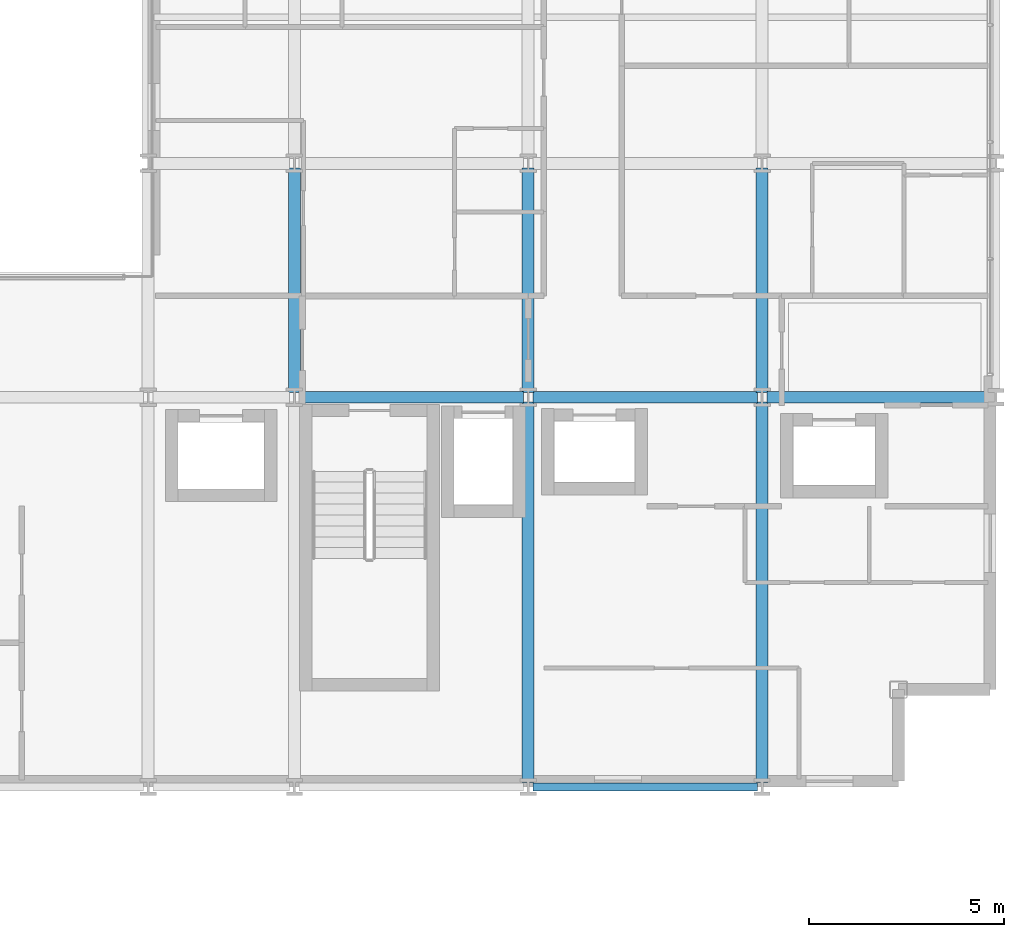
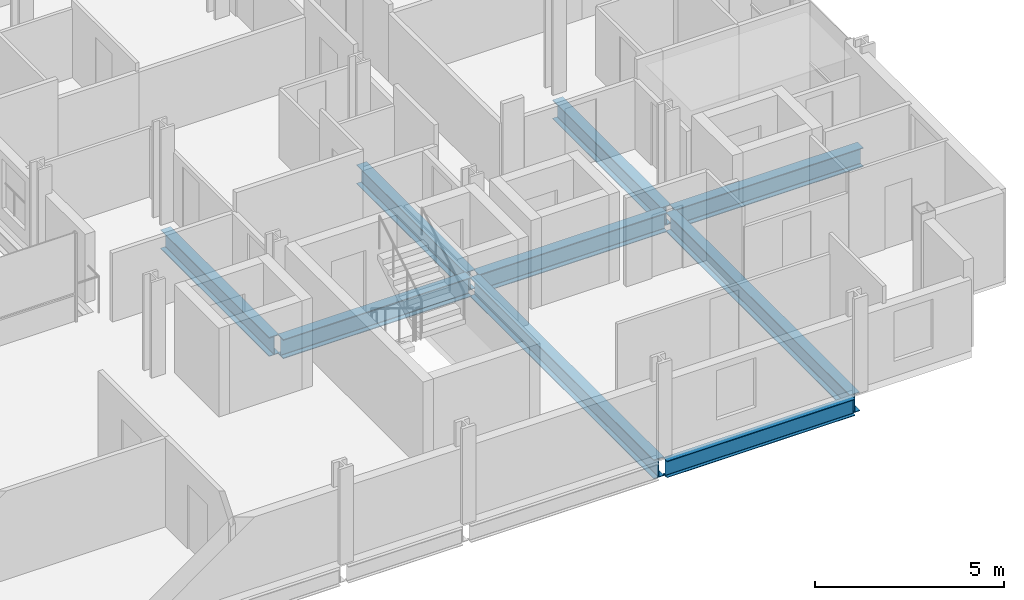
# One storey, part 14 of 41: 9 beams.
"""IFC4 building model written with IfcOpenShell, lengths in metres."""

from ifc_helpers import new_model, si_unit, direction, frame, origin, origin_2d, place, context, subcontext, project, spatial, i_section, extrude, material, material_profile, profile_set, type_object, element, save


model = new_model("IFC4")

# Units and contexts
model_context = context("Model", 3, precision=1e-05, world=origin(), true_north=direction((0.0, 1.0)))
body_context = subcontext(model_context, "Body", "Model", "MODEL_VIEW")
ifc_project = project(units=[si_unit("LENGTHUNIT", "METRE"), si_unit("AREAUNIT", "SQUARE_METRE"), si_unit("VOLUMEUNIT", "CUBIC_METRE"), si_unit("PLANEANGLEUNIT", "RADIAN"), si_unit("MASSUNIT", "GRAM", prefix="KILO")], contexts=[model_context])

# Site, building, storey
site_placement = place(None, origin())
site = spatial("IfcSite", under=ifc_project, at=site_placement, CompositionType="ELEMENT")
building_placement = place(site_placement, origin())
building = spatial("IfcBuilding", under=site, at=building_placement, Name="Brevholm Reach", CompositionType="ELEMENT")
storey_placement = place(building_placement, frame((0.0, 0.0, 49.699951171875)))
storey = spatial("IfcBuildingStorey", under=building, at=storey_placement, Name="L13", CompositionType="ELEMENT", Elevation=49.699951171875)

# Beams
ifc_material_1 = material(Name="Structural Steel S355J2", Category="steel")
ifc_material_profile_1 = material_profile(ifc_material_1, i_section(OverallWidth=0.210693359375, OverallDepth=0.53955078125, WebThickness=0.01171875, FlangeThickness=0.018798828125, FilletRadius=0.0126953125, at=origin_2d()), Name="UKB 533x210x109")
ifc_profile_set_1 = profile_set([ifc_material_profile_1], Name="Structural Steel S355J2")
beam_type_1 = type_object("IfcBeamType", Name="BM-SP539", PredefinedType="SPANDREL", material=ifc_profile_set_1)
beam_1_placement = place(storey_placement, frame((48.1201171875, 0.0, -0.499755859375), z_axis=(1.0, 0.0, 0.0), x_axis=(0.0, 1.0, 0.0)))
element("IfcBeam", 1, at=beam_1_placement, inside=storey, type_object=beam_type_1, Name="L13 SP-01B Framing Beam", PredefinedType="SPANDREL", context=body_context, shape_type="SweptSolid", body=[
    extrude(i_section(OverallWidth=0.210693359375, OverallDepth=0.53955078125, WebThickness=0.01171875, FlangeThickness=0.018798828125, FilletRadius=0.0126953125, at=origin_2d()), origin(), (0.0, 0.0, 1.0), 5.759765625),
])
ifc_material_2 = material(Name="Structural Steel S355J2", Category="steel")
ifc_material_profile_2 = material_profile(ifc_material_2, i_section(OverallWidth=0.30712890625, OverallDepth=0.6201171875, WebThickness=0.01416015625, FlangeThickness=0.023681640625, FilletRadius=0.0166015625, at=origin_2d()), Name="UKB 610x305x179")
ifc_profile_set_2 = profile_set([ifc_material_profile_2], Name="Structural Steel S355J2")
beam_type_2 = type_object("IfcBeamType", Name="BM-UKB610H", PredefinedType="USERDEFINED", material=ifc_profile_set_2)
for number, where, z_axis, x_axis, name in (
    (2, (42.1201171875, 10.0, -0.5400390625), (1.0, 0.0, 0.0), (0.0, 1.0, 0.0), "L13 G-06 Framing Beam"),
    (3, (48.1201171875, 10.0, -0.5400390625), (1.0, 0.0, 0.0), (0.0, 1.0, 0.0), "L13 G-06 Framing Beam"),
    (4, (54.1201171875, 10.0, -0.5400390625), (1.0, 0.0, 0.0), (0.0, 1.0, 0.0), "L13 G-06 Framing Beam"),
    (5, (42.0, 10.1201171875, -0.5400390625), (0.0, 1.0, 0.0), (-1.0, 0.0, 0.0), "L13 G-06 Framing Beam"),
):
    element("IfcBeam", number, at=place(storey_placement, frame(where, z_axis=z_axis, x_axis=x_axis)), inside=storey, type_object=beam_type_2, Name=name, ObjectType="GIRDER", PredefinedType="USERDEFINED", context=body_context, shape_type="SweptSolid", body=[
        extrude(i_section(OverallWidth=0.30712890625, OverallDepth=0.6201171875, WebThickness=0.01416015625, FlangeThickness=0.023681640625, FilletRadius=0.0166015625, at=origin_2d()), origin(), (0.0, 0.0, 1.0), 5.759765625),
    ])
beam_2_placement = place(storey_placement, frame((48.0, 0.1201171875, -0.5400390625), z_axis=(0.0, 1.0, 0.0), x_axis=(-1.0, 0.0, 0.0)))
element("IfcBeam", 6, at=beam_2_placement, inside=storey, type_object=beam_type_2, Name="L13 G-06 Framing Beam", ObjectType="GIRDER", PredefinedType="USERDEFINED", context=body_context, shape_type="SweptSolid", body=[
    extrude(i_section(OverallWidth=0.30712890625, OverallDepth=0.6201171875, WebThickness=0.01416015625, FlangeThickness=0.023681640625, FilletRadius=0.0166015625, at=origin_2d()), origin(), (0.0, 0.0, 1.0), 9.759765625),
])
beam_3_placement = place(storey_placement, frame((48.0, 10.1201171875, -0.5400390625), z_axis=(0.0, 1.0, 0.0), x_axis=(-1.0, 0.0, 0.0)))
element("IfcBeam", 7, at=beam_3_placement, inside=storey, type_object=beam_type_2, Name="L13 G-06 Framing Beam", ObjectType="GIRDER", PredefinedType="USERDEFINED", context=body_context, shape_type="SweptSolid", body=[
    extrude(i_section(OverallWidth=0.30712890625, OverallDepth=0.6201171875, WebThickness=0.01416015625, FlangeThickness=0.023681640625, FilletRadius=0.0166015625, at=origin_2d()), origin(), (0.0, 0.0, 1.0), 5.759765625),
])
beam_4_placement = place(storey_placement, frame((54.0, 0.1201171875, -0.5400390625), z_axis=(0.0, 1.0, 0.0), x_axis=(-1.0, 0.0, 0.0)))
element("IfcBeam", 8, at=beam_4_placement, inside=storey, type_object=beam_type_2, Name="L13 G-06 Framing Beam", ObjectType="GIRDER", PredefinedType="USERDEFINED", context=body_context, shape_type="SweptSolid", body=[
    extrude(i_section(OverallWidth=0.30712890625, OverallDepth=0.6201171875, WebThickness=0.01416015625, FlangeThickness=0.023681640625, FilletRadius=0.0166015625, at=origin_2d()), origin(), (0.0, 0.0, 1.0), 9.759765625),
])
beam_5_placement = place(storey_placement, frame((54.0, 10.1201171875, -0.5400390625), z_axis=(0.0, 1.0, 0.0), x_axis=(-1.0, 0.0, 0.0)))
element("IfcBeam", 9, at=beam_5_placement, inside=storey, type_object=beam_type_2, Name="L13 G-06 Framing Beam", ObjectType="GIRDER", PredefinedType="USERDEFINED", context=body_context, shape_type="SweptSolid", body=[
    extrude(i_section(OverallWidth=0.30712890625, OverallDepth=0.6201171875, WebThickness=0.01416015625, FlangeThickness=0.023681640625, FilletRadius=0.0166015625, at=origin_2d()), origin(), (0.0, 0.0, 1.0), 5.759765625),
])

save(model, "model.ifc")
